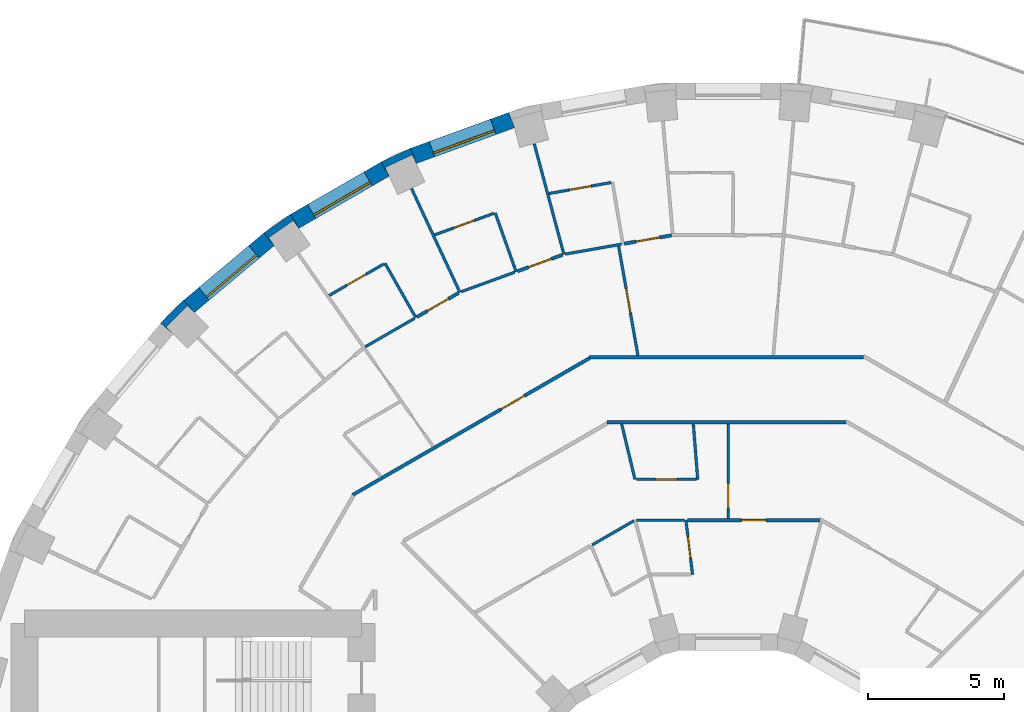
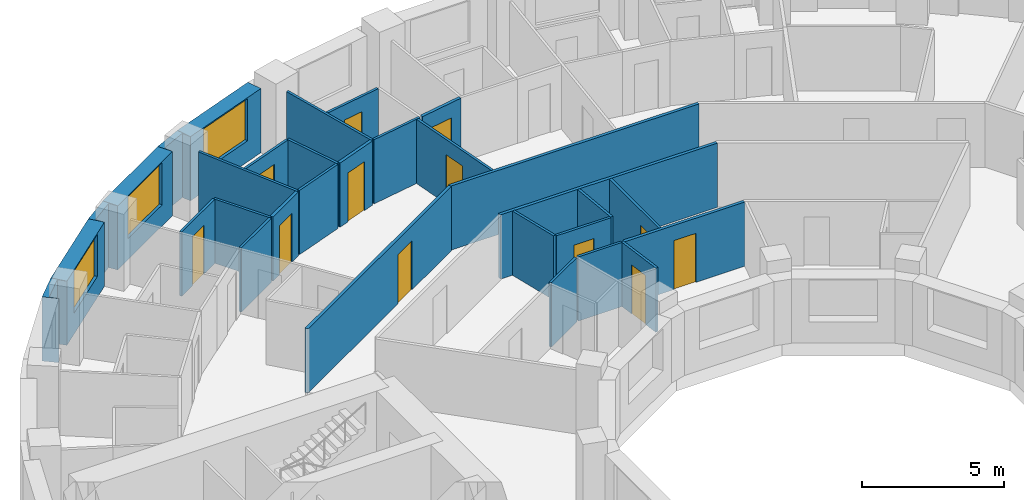
# One storey, part 11 of 15: 31 walls, 12 doors, 3 windows, 15 openings.
"""IFC4 building model written with IfcOpenShell, lengths in metres."""

from ifc_helpers import new_model, si_unit, direction, frame, frame_2d, origin, place, context, subcontext, project, spatial, polyline, rectangle, outline, extrude, material, layer, layer_set, type_object, element, fill, save


model = new_model("IFC4")

# Units and contexts
model_context = context("Model", 3, precision=1e-05, world=origin(), true_north=direction((0.0, 1.0)))
body_context = subcontext(model_context, "Body", "Model", "MODEL_VIEW")
ifc_project = project(units=[si_unit("LENGTHUNIT", "METRE"), si_unit("AREAUNIT", "SQUARE_METRE"), si_unit("VOLUMEUNIT", "CUBIC_METRE"), si_unit("PLANEANGLEUNIT", "RADIAN"), si_unit("MASSUNIT", "GRAM", prefix="KILO")], contexts=[model_context])

# Site, building, storey
site_placement = place(None, origin())
site = spatial("IfcSite", under=ifc_project, at=site_placement, CompositionType="ELEMENT")
building_placement = place(site_placement, origin())
building = spatial("IfcBuilding", under=site, at=building_placement, Name="Saqina Gate Tower", CompositionType="ELEMENT")
storey_placement = place(building_placement, frame((0.0, 0.0, 65.89990234375)))
storey = spatial("IfcBuildingStorey", under=building, at=storey_placement, Name="L18", CompositionType="ELEMENT", Elevation=65.89990234375)

# Walls
ifc_material_1 = material(Name="Brick masonry (red)", Category="masonry")
wall_type_1 = type_object("IfcWallType", Name="BRICK PIER COPING RED", PredefinedType="SOLIDWALL", material=ifc_material_1)
wall_1_placement = place(storey_placement, origin())
element("IfcWall", 1, at=wall_1_placement, inside=storey, type_object=wall_type_1, Name="Pier cap L18 column 12", PredefinedType="SOLIDWALL", context=body_context, shape_type="SweptSolid", body=[
    extrude(outline(polyline([(-12.779541015625, 25.980712890625), (-12.4794921875, 25.4609375), (-12.627685546875, 25.778564453125), (-11.630615234375, 26.243408203125), (-11.482666015625, 25.92578125), (-11.687744140625, 26.48974609375), (-12.779541015625, 25.980712890625)])), origin(), (0.0, 0.0, 1.0), 2.75),
])
wall_2_placement = place(storey_placement, origin())
element("IfcWall", 2, at=wall_2_placement, inside=storey, type_object=wall_type_1, Name="Pier cap L18 column 13", PredefinedType="SOLIDWALL", context=body_context, shape_type="SweptSolid", body=[
    extrude(outline(polyline([(-16.110107421875, 24.0576171875), (-17.096923828125, 23.36669921875), (-16.711181640625, 22.9072265625), (-16.912109375, 23.194091796875), (-16.010986328125, 23.8251953125), (-15.81005859375, 23.5380859375), (-16.110107421875, 24.0576171875)])), origin(), (0.0, 0.0, 1.0), 2.75),
])
wall_3_placement = place(storey_placement, origin())
element("IfcWall", 3, at=wall_3_placement, inside=storey, type_object=wall_type_1, Name="Pier cap L18 column 14", PredefinedType="SOLIDWALL", context=body_context, shape_type="SweptSolid", body=[
    extrude(outline(polyline([(-20.894775390625, 20.04296875), (-20.43505859375, 19.6572265625), (-20.682861328125, 19.905029296875), (-19.905029296875, 20.682861328125), (-19.6572265625, 20.43505859375), (-20.04296875, 20.894775390625), (-20.894775390625, 20.04296875)])), origin(), (0.0, 0.0, 1.0), 2.75),
])

# Wall, opening, window
ifc_material_2 = material(Name="Brick masonry (red)", Category="masonry")
ifc_layer_1 = layer(ifc_material_2, 0.60009765625)
ifc_layer_set_1 = layer_set([ifc_layer_1], Name="FW-BRICK-RED")
wall_type_2 = type_object("IfcWallType", Name="FW-BRICK-RED", PredefinedType="SOLIDWALL", material=ifc_layer_set_1)
wall_4_placement = place(storey_placement, frame((-7.97119140625, 27.523193359375, 0.0), z_axis=(0.0, 0.0, 1.0), x_axis=(-0.939689588564, -0.342028474173, 0.0)))
wall_4 = element("IfcWall", 4, at=wall_4_placement, inside=storey, type_object=wall_type_2, Name="Facade wall L18 facet 11", PredefinedType="SOLIDWALL", context=body_context, shape_type="SweptSolid", body=[
    extrude(rectangle(XDim=3.845947265625, YDim=0.60009765625, at=frame_2d((1.9228515625, 0.0))), origin(), (0.0, 0.0, 1.0), 2.75),
])
opening_1_placement = place(wall_4_placement, frame((0.722900390625, 0.0, 0.89990234375)))
opening_1 = element("IfcOpeningElement", 5, at=opening_1_placement, cuts=wall_4, Name="Opening G05-W05", PredefinedType="OPENING", context=body_context, shape_type="SweptSolid", body=[
    extrude(rectangle(XDim=2.39990234375, YDim=1.800048828125, at=frame_2d((1.199951171875, 0.89990234375))), frame((0.0, 0.31201171875, 0.0), z_axis=(0.0, -1.0, 0.0), x_axis=(1.0, 0.0, 0.0)), (0.0, 0.0, 1.0), 0.6240234375),
])
ifc_material_3 = material(Name="Aluminium glazing", Category="aluminium")
window_type = type_object("IfcWindowType", Name="WN-A", PartitioningType="SINGLE_PANEL", PredefinedType="WINDOW", material=ifc_material_3)
window_1_placement = place(opening_1_placement, origin())
window_1 = element("IfcWindow", 6, at=window_1_placement, inside=storey, type_object=window_type, Name="Window L18 facet 11", OverallHeight=1.800048828125, OverallWidth=2.39990234375, PartitioningType="SINGLE_PANEL", PredefinedType="WINDOW", context=body_context, shape_type="SweptSolid", body=[
    extrude(rectangle(XDim=2.39990234375, YDim=1.800048828125, at=frame_2d((1.199951171875, 0.89990234375))), frame((0.0, 0.179931640625, 0.0), z_axis=(0.0, -1.0, 0.0), x_axis=(1.0, 0.0, 0.0)), (0.0, 0.0, 1.0), 0.06005859375),
])
fill(opening_1, window_1)

wall_5_placement = place(storey_placement, frame((-12.629638671875, 25.720703125, 0.0), z_axis=(0.0, 0.0, 1.0), x_axis=(-0.86603124159, -0.499989888488, 0.0)))
wall_5 = element("IfcWall", 7, at=wall_5_placement, inside=storey, type_object=wall_type_2, Name="Facade wall L18 facet 12", PredefinedType="SOLIDWALL", context=body_context, shape_type="SweptSolid", body=[
    extrude(rectangle(XDim=3.845703125, YDim=0.60009765625, at=frame_2d((1.9228515625, 0.0))), origin(), (0.0, 0.0, 1.0), 2.75),
])
opening_2_placement = place(wall_5_placement, frame((0.722900390625, 0.0, 0.89990234375)))
opening_2 = element("IfcOpeningElement", 8, at=opening_2_placement, cuts=wall_5, Name="Opening G05-W06", PredefinedType="OPENING", context=body_context, shape_type="SweptSolid", body=[
    extrude(rectangle(XDim=2.39990234375, YDim=1.800048828125, at=frame_2d((1.199951171875, 0.89990234375))), frame((0.0, 0.31201171875, 0.0), z_axis=(0.0, -1.0, 0.0), x_axis=(1.0, 0.0, 0.0)), (0.0, 0.0, 1.0), 0.6240234375),
])
window_2_placement = place(opening_2_placement, origin())
window_2 = element("IfcWindow", 9, at=window_2_placement, inside=storey, type_object=window_type, Name="Window L18 facet 12", OverallHeight=1.800048828125, OverallWidth=2.39990234375, PartitioningType="SINGLE_PANEL", PredefinedType="WINDOW", context=body_context, shape_type="SweptSolid", body=[
    extrude(rectangle(XDim=2.39990234375, YDim=1.800048828125, at=frame_2d((1.199951171875, 0.89990234375))), frame((0.0, 0.179931640625, 0.0), z_axis=(0.0, -1.0, 0.0), x_axis=(1.0, 0.0, 0.0)), (0.0, 0.0, 1.0), 0.06005859375),
])
fill(opening_2, window_2)

wall_6_placement = place(storey_placement, frame((-16.904052734375, 23.136962890625, 0.0), z_axis=(0.0, 0.0, 1.0), x_axis=(-0.766026164483, -0.642809392687, 0.0)))
wall_6 = element("IfcWall", 10, at=wall_6_placement, inside=storey, type_object=wall_type_2, Name="Facade wall L18 facet 13", PredefinedType="SOLIDWALL", context=body_context, shape_type="SweptSolid", body=[
    extrude(rectangle(XDim=3.845947265625, YDim=0.60009765625, at=frame_2d((1.9228515625, 0.0))), origin(), (0.0, 0.0, 1.0), 2.75),
])
opening_3_placement = place(wall_6_placement, frame((0.722900390625, 0.0, 0.89990234375)))
opening_3 = element("IfcOpeningElement", 11, at=opening_3_placement, cuts=wall_6, Name="Opening G05-W07", PredefinedType="OPENING", context=body_context, shape_type="SweptSolid", body=[
    extrude(rectangle(XDim=2.39990234375, YDim=1.800048828125, at=frame_2d((1.199951171875, 0.89990234375))), frame((0.0, 0.31201171875, 0.0), z_axis=(0.0, -1.0, 0.0), x_axis=(1.0, 0.0, 0.0)), (0.0, 0.0, 1.0), 0.6240234375),
])
window_3_placement = place(opening_3_placement, origin())
window_3 = element("IfcWindow", 12, at=window_3_placement, inside=storey, type_object=window_type, Name="Window L18 facet 13", OverallHeight=1.800048828125, OverallWidth=2.39990234375, PartitioningType="SINGLE_PANEL", PredefinedType="WINDOW", context=body_context, shape_type="SweptSolid", body=[
    extrude(rectangle(XDim=2.39990234375, YDim=1.800048828125, at=frame_2d((1.199951171875, 0.89990234375))), frame((0.0, 0.179931640625, 0.0), z_axis=(0.0, -1.0, 0.0), x_axis=(1.0, 0.0, 0.0)), (0.0, 0.0, 1.0), 0.06005859375),
])
fill(opening_3, window_3)

# Wall
ifc_material_4 = material(Name="Gypsum board on steel studs, 100 mm", Category="steel")
ifc_layer_2 = layer(ifc_material_4, 0.10009765625)
ifc_layer_set_2 = layer_set([ifc_layer_2], Name="PARTITION 100")
wall_type_3 = type_object("IfcWallType", Name="PARTITION 100", PredefinedType="PARTITIONING", material=ifc_layer_set_2)
wall_7_placement = place(storey_placement, frame((-1.2861328125, 16.337646484375, 0.0), z_axis=(0.0, 0.0, 1.0), x_axis=(0.07883368514, -0.996887782093, 0.0)))
element("IfcWall", 13, at=wall_7_placement, inside=storey, type_object=wall_type_3, Name="PARTITION PW3-03", PredefinedType="PARTITIONING", context=body_context, shape_type="SweptSolid", body=[
    extrude(rectangle(XDim=2.0439453125, YDim=0.10009765625, at=frame_2d((1.02197265625, 0.0))), origin(), (0.0, 0.0, 1.0), 2.75),
])

# Wall, opening, door
wall_8_placement = place(storey_placement, frame((-1.55908203125, 12.800048828125, 0.0), z_axis=(0.0, 0.0, 1.0), x_axis=(0.1211708576, -0.992631665457, 0.0)))
wall_8 = element("IfcWall", 14, at=wall_8_placement, inside=storey, type_object=wall_type_3, Name="PARTITION PW3-07", PredefinedType="PARTITIONING", context=body_context, shape_type="SweptSolid", body=[
    extrude(rectangle(XDim=2.014892578125, YDim=0.10009765625, at=frame_2d((1.00732421875, 0.0))), origin(), (0.0, 0.0, 1.0), 2.75),
])
opening_4_placement = place(wall_8_placement, frame((0.607421875, 0.0, 0.0)))
opening_4 = element("IfcOpeningElement", 15, at=opening_4_placement, cuts=wall_8, Name="Opening G05-D15", PredefinedType="OPENING", context=body_context, shape_type="SweptSolid", body=[
    extrude(rectangle(XDim=0.800048828125, YDim=2.10009765625, at=frame_2d((0.39990234375, 1.050048828125))), frame((0.0, 0.06201171875, 0.0), z_axis=(0.0, -1.0, 0.0), x_axis=(1.0, 0.0, 0.0)), (0.0, 0.0, 1.0), 0.1240234375),
])
ifc_material_5 = material(Name="Timber door leaf, 800 mm", Category="wood")
door_type_1 = type_object("IfcDoorType", Name="DOOR 800 TIMBER", OperationType="SINGLE_SWING_LEFT", PredefinedType="DOOR", material=ifc_material_5)
door_1_placement = place(opening_4_placement, origin())
door_1 = element("IfcDoor", 16, at=door_1_placement, inside=storey, type_object=door_type_1, Name="DOOR G05-D15", OperationType="SINGLE_SWING_LEFT", OverallHeight=2.10009765625, OverallWidth=0.800048828125, PredefinedType="DOOR", context=body_context, shape_type="SweptSolid", body=[
    extrude(rectangle(XDim=0.800048828125, YDim=2.10009765625, at=frame_2d((0.39990234375, 1.050048828125))), frame((0.0, 0.02490234375, 0.0), z_axis=(0.0, -1.0, 0.0), x_axis=(1.0, 0.0, 0.0)), (0.0, 0.0, 1.0), 0.050048828125),
])
fill(opening_4, door_1)

wall_9_placement = place(storey_placement, frame((-4.035400390625, 22.88671875, 0.0), z_axis=(0.0, 0.0, 1.0), x_axis=(0.173584282426, -0.98481901733, 0.0)))
wall_9 = element("IfcWall", 17, at=wall_9_placement, inside=storey, type_object=wall_type_3, Name="PARTITION PW3-09", PredefinedType="PARTITIONING", context=body_context, shape_type="SweptSolid", body=[
    extrude(rectangle(XDim=4.087158203125, YDim=0.10009765625, at=frame_2d((2.04345703125, 0.0))), origin(), (0.0, 0.0, 1.0), 2.75),
])
opening_5_placement = place(wall_9_placement, frame((1.599853515625, 0.0, 0.0)))
opening_5 = element("IfcOpeningElement", 18, at=opening_5_placement, cuts=wall_9, Name="Opening G05-D18", PredefinedType="OPENING", context=body_context, shape_type="SweptSolid", body=[
    extrude(rectangle(XDim=0.89990234375, YDim=2.10009765625, at=frame_2d((0.449951171875, 1.050048828125))), frame((0.0, 0.06201171875, 0.0), z_axis=(0.0, -1.0, 0.0), x_axis=(1.0, 0.0, 0.0)), (0.0, 0.0, 1.0), 0.1240234375),
])
ifc_material_6 = material(Name="Timber door leaf, 900 mm", Category="wood")
door_type_2 = type_object("IfcDoorType", Name="DOOR 900 TIMBER", OperationType="SINGLE_SWING_LEFT", PredefinedType="DOOR", material=ifc_material_6)
door_2_placement = place(opening_5_placement, frame((0.89990234375, 0.0, 0.0), z_axis=(0.0, 0.0, 1.0), x_axis=(-1.0, 0.0, 0.0)))
door_2 = element("IfcDoor", 19, at=door_2_placement, inside=storey, type_object=door_type_2, Name="DOOR G05-D18", OperationType="SINGLE_SWING_LEFT", OverallHeight=2.10009765625, OverallWidth=0.89990234375, PredefinedType="DOOR", context=body_context, shape_type="SweptSolid", body=[
    extrude(rectangle(XDim=0.89990234375, YDim=2.10009765625, at=frame_2d((0.449951171875, 1.050048828125))), frame((0.0, 0.02490234375, 0.0), z_axis=(0.0, -1.0, 0.0), x_axis=(1.0, 0.0, 0.0)), (0.0, 0.0, 1.0), 0.050048828125),
])
fill(opening_5, door_2)

# Walls
wall_10_placement = place(storey_placement, frame((-3.92431640625, 16.339111328125, 0.0), z_axis=(0.0, 0.0, 1.0), x_axis=(0.233760395351, -0.972294234049, 0.0)))
element("IfcWall", 20, at=wall_10_placement, inside=storey, type_object=wall_type_3, Name="PARTITION PW3-11", PredefinedType="PARTITIONING", context=body_context, shape_type="SweptSolid", body=[
    extrude(rectangle(XDim=2.09716796875, YDim=0.10009765625, at=frame_2d((1.048583984375, 0.0))), origin(), (0.0, 0.0, 1.0), 2.75),
])
wall_11_placement = place(storey_placement, frame((-7.14013671875, 26.650146484375, 0.0), z_axis=(0.0, 0.0, 1.0), x_axis=(0.258611481132, -0.965981418986, 0.0)))
element("IfcWall", 21, at=wall_11_placement, inside=storey, type_object=wall_type_3, Name="PARTITION PW3-12", PredefinedType="PARTITIONING", context=body_context, shape_type="SweptSolid", body=[
    extrude(rectangle(XDim=4.21142578125, YDim=0.10009765625, at=frame_2d((2.105712890625, 0.0))), origin(), (0.0, 0.0, 1.0), 2.75),
])
wall_12_placement = place(storey_placement, frame((-8.5791015625, 24.10888671875, 0.0), z_axis=(0.0, 0.0, 1.0), x_axis=(0.335206501266, -0.942144681835, 0.0)))
element("IfcWall", 22, at=wall_12_placement, inside=storey, type_object=wall_type_3, Name="PARTITION PW3-15", PredefinedType="PARTITIONING", context=body_context, shape_type="SweptSolid", body=[
    extrude(rectangle(XDim=2.300048828125, YDim=0.10009765625, at=frame_2d((1.14990234375, 0.0))), origin(), (0.0, 0.0, 1.0), 2.75),
])
wall_13_placement = place(storey_placement, frame((-11.659912109375, 25.005126953125, 0.0), z_axis=(0.0, 0.0, 1.0), x_axis=(0.422631582156, -0.906301575506, 0.0)))
element("IfcWall", 23, at=wall_13_placement, inside=storey, type_object=wall_type_3, Name="PARTITION PW3-19", PredefinedType="PARTITIONING", context=body_context, shape_type="SweptSolid", body=[
    extrude(rectangle(XDim=4.211669921875, YDim=0.10009765625, at=frame_2d((2.10595703125, 0.0))), origin(), (0.0, 0.0, 1.0), 2.75),
])
wall_14_placement = place(storey_placement, frame((-12.635009765625, 22.2529296875, 0.0), z_axis=(0.0, 0.0, 1.0), x_axis=(0.493564284385, -0.869709317634, 0.0)))
element("IfcWall", 24, at=wall_14_placement, inside=storey, type_object=wall_type_3, Name="PARTITION PW3-21", PredefinedType="PARTITIONING", context=body_context, shape_type="SweptSolid", body=[
    extrude(rectangle(XDim=2.299560546875, YDim=0.10009765625, at=frame_2d((1.14990234375, 0.0))), origin(), (0.0, 0.0, 1.0), 2.75),
])
wall_15_placement = place(storey_placement, frame((-3.3798828125, 12.800048828125, 0.0), z_axis=(0.0, 0.0, 1.0), x_axis=(1.0, 0.0, 0.0)))
element("IfcWall", 25, at=wall_15_placement, inside=storey, type_object=wall_type_3, Name="PARTITION PW3-63", PredefinedType="PARTITIONING", context=body_context, shape_type="SweptSolid", body=[
    extrude(rectangle(XDim=1.77099609375, YDim=0.10009765625, at=frame_2d((0.885498046875, 0.0))), origin(), (0.0, 0.0, 1.0), 2.75),
])

# Wall, opening, door
wall_16_placement = place(storey_placement, frame((-3.384033203125, 14.300048828125, 0.0), z_axis=(0.0, 0.0, 1.0), x_axis=(1.0, 0.0, 0.0)))
wall_16 = element("IfcWall", 26, at=wall_16_placement, inside=storey, type_object=wall_type_3, Name="PARTITION PW3-64", PredefinedType="PARTITIONING", context=body_context, shape_type="SweptSolid", body=[
    extrude(rectangle(XDim=2.208984375, YDim=0.10009765625, at=frame_2d((1.1044921875, 0.0))), origin(), (0.0, 0.0, 1.0), 2.75),
])
opening_6_placement = place(wall_16_placement, frame((0.70458984375, 0.0, 0.0)))
opening_6 = element("IfcOpeningElement", 27, at=opening_6_placement, cuts=wall_16, Name="Opening G05-D17", PredefinedType="OPENING", context=body_context, shape_type="SweptSolid", body=[
    extrude(rectangle(XDim=0.800048828125, YDim=2.10009765625, at=frame_2d((0.39990234375, 1.050048828125))), frame((0.0, 0.06201171875, 0.0), z_axis=(0.0, -1.0, 0.0), x_axis=(1.0, 0.0, 0.0)), (0.0, 0.0, 1.0), 0.1240234375),
])
door_3_placement = place(opening_6_placement, frame((0.800048828125, 0.0, 0.0), z_axis=(0.0, 0.0, 1.0), x_axis=(-1.0, 0.0, 0.0)))
door_3 = element("IfcDoor", 28, at=door_3_placement, inside=storey, type_object=door_type_1, Name="DOOR G05-D17", OperationType="SINGLE_SWING_LEFT", OverallHeight=2.10009765625, OverallWidth=0.800048828125, PredefinedType="DOOR", context=body_context, shape_type="SweptSolid", body=[
    extrude(rectangle(XDim=0.800048828125, YDim=2.10009765625, at=frame_2d((0.39990234375, 1.050048828125))), frame((0.0, 0.02490234375, 0.0), z_axis=(0.0, -1.0, 0.0), x_axis=(1.0, 0.0, 0.0)), (0.0, 0.0, 1.0), 0.050048828125),
])
fill(opening_6, door_3)

# Wall
wall_17_placement = place(storey_placement, frame((-6.001708984375, 22.590576171875, 0.0), z_axis=(0.0, 0.0, 1.0), x_axis=(0.984798730273, 0.173699340392, 0.0)))
element("IfcWall", 29, at=wall_17_placement, inside=storey, type_object=wall_type_3, Name="PARTITION PW3-69", PredefinedType="PARTITIONING", context=body_context, shape_type="SweptSolid", body=[
    extrude(rectangle(XDim=2.10546875, YDim=0.10009765625, at=frame_2d((1.052734375, 0.0))), origin(), (0.0, 0.0, 1.0), 2.75),
])

# Wall, opening, door
wall_18_placement = place(storey_placement, frame((-6.598876953125, 24.82080078125, 0.0), z_axis=(0.0, 0.0, 1.0), x_axis=(0.984793079882, 0.173731372577, 0.0)))
wall_18 = element("IfcWall", 30, at=wall_18_placement, inside=storey, type_object=wall_type_3, Name="PARTITION PW3-70", PredefinedType="PARTITIONING", context=body_context, shape_type="SweptSolid", body=[
    extrude(rectangle(XDim=2.322998046875, YDim=0.10009765625, at=frame_2d((1.16162109375, 0.0))), origin(), (0.0, 0.0, 1.0), 2.75),
])
opening_7_placement = place(wall_18_placement, frame((0.761474609375, 0.0, 0.0)))
opening_7 = element("IfcOpeningElement", 31, at=opening_7_placement, cuts=wall_18, Name="Opening G05-D19", PredefinedType="OPENING", context=body_context, shape_type="SweptSolid", body=[
    extrude(rectangle(XDim=0.800048828125, YDim=2.10009765625, at=frame_2d((0.39990234375, 1.050048828125))), frame((0.0, 0.06201171875, 0.0), z_axis=(0.0, -1.0, 0.0), x_axis=(1.0, 0.0, 0.0)), (0.0, 0.0, 1.0), 0.1240234375),
])
door_4_placement = place(opening_7_placement, origin())
door_4 = element("IfcDoor", 32, at=door_4_placement, inside=storey, type_object=door_type_1, Name="DOOR G05-D19", OperationType="SINGLE_SWING_LEFT", OverallHeight=2.10009765625, OverallWidth=0.800048828125, PredefinedType="DOOR", context=body_context, shape_type="SweptSolid", body=[
    extrude(rectangle(XDim=0.800048828125, YDim=2.10009765625, at=frame_2d((0.39990234375, 1.050048828125))), frame((0.0, 0.02490234375, 0.0), z_axis=(0.0, -1.0, 0.0), x_axis=(1.0, 0.0, 0.0)), (0.0, 0.0, 1.0), 0.050048828125),
])
fill(opening_7, door_4)

# Wall
wall_19_placement = place(storey_placement, frame((-9.8330078125, 21.205078125, 0.0), z_axis=(0.0, 0.0, 1.0), x_axis=(0.939725675468, 0.341929312674, 0.0)))
element("IfcWall", 33, at=wall_19_placement, inside=storey, type_object=wall_type_3, Name="PARTITION PW3-73", PredefinedType="PARTITIONING", context=body_context, shape_type="SweptSolid", body=[
    extrude(rectangle(XDim=2.10498046875, YDim=0.10009765625, at=frame_2d((1.052490234375, 0.0))), origin(), (0.0, 0.0, 1.0), 2.75),
])

# Wall, opening, door
wall_20_placement = place(storey_placement, frame((-10.808837890625, 23.298095703125, 0.0), z_axis=(0.0, 0.0, 1.0), x_axis=(0.939802630001, 0.341717744115, 0.0)))
wall_20 = element("IfcWall", 34, at=wall_20_placement, inside=storey, type_object=wall_type_3, Name="PARTITION PW3-74", PredefinedType="PARTITIONING", context=body_context, shape_type="SweptSolid", body=[
    extrude(rectangle(XDim=2.32275390625, YDim=0.10009765625, at=frame_2d((1.161376953125, 0.0))), origin(), (0.0, 0.0, 1.0), 2.75),
])
opening_8_placement = place(wall_20_placement, frame((0.76123046875, 0.0, 0.0)))
opening_8 = element("IfcOpeningElement", 35, at=opening_8_placement, cuts=wall_20, Name="Opening G05-D21", PredefinedType="OPENING", context=body_context, shape_type="SweptSolid", body=[
    extrude(rectangle(XDim=0.800048828125, YDim=2.10009765625, at=frame_2d((0.39990234375, 1.050048828125))), frame((0.0, 0.06201171875, 0.0), z_axis=(0.0, -1.0, 0.0), x_axis=(1.0, 0.0, 0.0)), (0.0, 0.0, 1.0), 0.1240234375),
])
door_5_placement = place(opening_8_placement, origin())
door_5 = element("IfcDoor", 36, at=door_5_placement, inside=storey, type_object=door_type_1, Name="DOOR G05-D21", OperationType="SINGLE_SWING_LEFT", OverallHeight=2.10009765625, OverallWidth=0.800048828125, PredefinedType="DOOR", context=body_context, shape_type="SweptSolid", body=[
    extrude(rectangle(XDim=0.800048828125, YDim=2.10009765625, at=frame_2d((0.39990234375, 1.050048828125))), frame((0.0, 0.02490234375, 0.0), z_axis=(0.0, -1.0, 0.0), x_axis=(1.0, 0.0, 0.0)), (0.0, 0.0, 1.0), 0.050048828125),
])
fill(opening_8, door_5)

# Walls
wall_21_placement = place(storey_placement, frame((-5.006591796875, 11.888916015625, 0.0), z_axis=(0.0, 0.0, 1.0), x_axis=(0.865831892385, 0.500335021889, 0.0)))
element("IfcWall", 37, at=wall_21_placement, inside=storey, type_object=wall_type_3, Name="PARTITION PW3-79", PredefinedType="PARTITIONING", context=body_context, shape_type="SweptSolid", body=[
    extrude(rectangle(XDim=1.770751953125, YDim=0.10009765625, at=frame_2d((0.88525390625, 0.0))), origin(), (0.0, 0.0, 1.0), 2.75),
])
wall_22_placement = place(storey_placement, frame((-13.36572265625, 19.176025390625, 0.0), z_axis=(0.0, 0.0, 1.0), x_axis=(0.866071606143, 0.499919966627, 0.0)))
element("IfcWall", 38, at=wall_22_placement, inside=storey, type_object=wall_type_3, Name="PARTITION PW3-81", PredefinedType="PARTITIONING", context=body_context, shape_type="SweptSolid", body=[
    extrude(rectangle(XDim=2.104248046875, YDim=0.10009765625, at=frame_2d((1.05224609375, 0.0))), origin(), (0.0, 0.0, 1.0), 2.75),
])

# Wall, opening, door
wall_23_placement = place(storey_placement, frame((-14.690673828125, 21.06689453125, 0.0), z_axis=(0.0, 0.0, 1.0), x_axis=(0.866166342301, 0.499755807835, 0.0)))
wall_23 = element("IfcWall", 39, at=wall_23_placement, inside=storey, type_object=wall_type_3, Name="PARTITION PW3-82", PredefinedType="PARTITIONING", context=body_context, shape_type="SweptSolid", body=[
    extrude(rectangle(XDim=2.323486328125, YDim=0.10009765625, at=frame_2d((1.16162109375, 0.0))), origin(), (0.0, 0.0, 1.0), 2.75),
])
opening_9_placement = place(wall_23_placement, frame((0.76171875, 0.0, 0.0)))
opening_9 = element("IfcOpeningElement", 40, at=opening_9_placement, cuts=wall_23, Name="Opening G05-D26", PredefinedType="OPENING", context=body_context, shape_type="SweptSolid", body=[
    extrude(rectangle(XDim=0.800048828125, YDim=2.10009765625, at=frame_2d((0.39990234375, 1.050048828125))), frame((0.0, 0.06201171875, 0.0), z_axis=(0.0, -1.0, 0.0), x_axis=(1.0, 0.0, 0.0)), (0.0, 0.0, 1.0), 0.1240234375),
])
door_6_placement = place(opening_9_placement, origin())
door_6 = element("IfcDoor", 41, at=door_6_placement, inside=storey, type_object=door_type_1, Name="DOOR G05-D26", OperationType="SINGLE_SWING_LEFT", OverallHeight=2.10009765625, OverallWidth=0.800048828125, PredefinedType="DOOR", context=body_context, shape_type="SweptSolid", body=[
    extrude(rectangle(XDim=0.800048828125, YDim=2.10009765625, at=frame_2d((0.39990234375, 1.050048828125))), frame((0.0, 0.02490234375, 0.0), z_axis=(0.0, -1.0, 0.0), x_axis=(1.0, 0.0, 0.0)), (0.0, 0.0, 1.0), 0.050048828125),
])
fill(opening_9, door_6)

wall_24_placement = place(storey_placement, frame((0.0, 12.862548828125, 0.0), z_axis=(0.0, 0.0, 1.0), x_axis=(0.0, 1.0, 0.0)))
wall_24 = element("IfcWall", 42, at=wall_24_placement, inside=storey, type_object=wall_type_3, Name="PARTITION PW3-115", PredefinedType="PARTITIONING", context=body_context, shape_type="SweptSolid", body=[
    extrude(rectangle(XDim=3.474853515625, YDim=0.10009765625, at=frame_2d((1.7373046875, 0.0))), origin(), (0.0, 0.0, 1.0), 2.75),
])
opening_10_placement = place(wall_24_placement, frame((0.387451171875, 0.0, 0.0)))
opening_10 = element("IfcOpeningElement", 43, at=opening_10_placement, cuts=wall_24, Name="Opening G05-D13", PredefinedType="OPENING", context=body_context, shape_type="SweptSolid", body=[
    extrude(rectangle(XDim=0.89990234375, YDim=2.10009765625, at=frame_2d((0.449951171875, 1.050048828125))), frame((0.0, 0.06201171875, 0.0), z_axis=(0.0, -1.0, 0.0), x_axis=(1.0, 0.0, 0.0)), (0.0, 0.0, 1.0), 0.1240234375),
])
door_7_placement = place(opening_10_placement, origin())
door_7 = element("IfcDoor", 44, at=door_7_placement, inside=storey, type_object=door_type_2, Name="DOOR G05-D13", OperationType="SINGLE_SWING_LEFT", OverallHeight=2.10009765625, OverallWidth=0.89990234375, PredefinedType="DOOR", context=body_context, shape_type="SweptSolid", body=[
    extrude(rectangle(XDim=0.89990234375, YDim=2.10009765625, at=frame_2d((0.449951171875, 1.050048828125))), frame((0.0, 0.02490234375, 0.0), z_axis=(0.0, -1.0, 0.0), x_axis=(1.0, 0.0, 0.0)), (0.0, 0.0, 1.0), 0.050048828125),
])
fill(opening_10, door_7)

ifc_material_7 = material(Name="Gypsum board on steel studs, 125 mm, fire rated", Category="steel")
ifc_layer_3 = layer(ifc_material_7, 0.125)
ifc_layer_set_3 = layer_set([ifc_layer_3], Name="PARTITION EI 30 125")
wall_type_4 = type_object("IfcWallType", Name="PARTITION EI 30 125", PredefinedType="PARTITIONING", material=ifc_layer_set_3)
wall_25_placement = place(storey_placement, frame((-1.509033203125, 12.800048828125, 0.0), z_axis=(0.0, 0.0, 1.0), x_axis=(1.0, 0.0, 0.0)))
wall_25 = element("IfcWall", 45, at=wall_25_placement, inside=storey, type_object=wall_type_4, Name="PARTITION PW1-23", PredefinedType="PARTITIONING", context=body_context, shape_type="SweptSolid", body=[
    extrude(rectangle(XDim=4.87646484375, YDim=0.125, at=frame_2d((2.438232421875, 0.0))), origin(), (0.0, 0.0, 1.0), 2.75),
])
opening_11_placement = place(wall_25_placement, frame((1.994384765625, 0.0, 0.0)))
opening_11 = element("IfcOpeningElement", 46, at=opening_11_placement, cuts=wall_25, Name="Opening G05-D11", PredefinedType="OPENING", context=body_context, shape_type="SweptSolid", body=[
    extrude(rectangle(XDim=0.89990234375, YDim=2.10009765625, at=frame_2d((0.449951171875, 1.050048828125))), frame((0.0, 0.074462890625, 0.0), z_axis=(0.0, -1.0, 0.0), x_axis=(1.0, 0.0, 0.0)), (0.0, 0.0, 1.0), 0.14892578125),
])
ifc_material_8 = material(Name="Fire door leaf EI 30, 900 mm")
door_type_3 = type_object("IfcDoorType", Name="DOOR 900 EI 30", OperationType="SINGLE_SWING_LEFT", PredefinedType="DOOR", material=ifc_material_8)
door_8_placement = place(opening_11_placement, origin())
door_8 = element("IfcDoor", 47, at=door_8_placement, inside=storey, type_object=door_type_3, Name="DOOR G05-D11", OperationType="SINGLE_SWING_LEFT", OverallHeight=2.10009765625, OverallWidth=0.89990234375, PredefinedType="DOOR", context=body_context, shape_type="SweptSolid", body=[
    extrude(rectangle(XDim=0.89990234375, YDim=2.10009765625, at=frame_2d((0.449951171875, 1.050048828125))), frame((0.0, 0.02490234375, 0.0), z_axis=(0.0, -1.0, 0.0), x_axis=(1.0, 0.0, 0.0)), (0.0, 0.0, 1.0), 0.050048828125),
])
fill(opening_11, door_8)

# Walls
wall_26_placement = place(storey_placement, frame((-4.466064453125, 16.39990234375, 0.0), z_axis=(0.0, 0.0, 1.0), x_axis=(1.0, 0.0, 0.0)))
element("IfcWall", 48, at=wall_26_placement, inside=storey, type_object=wall_type_4, Name="PARTITION PW1-24", PredefinedType="PARTITIONING", context=body_context, shape_type="SweptSolid", body=[
    extrude(rectangle(XDim=8.797607421875, YDim=0.125, at=frame_2d((4.39892578125, 0.0))), origin(), (0.0, 0.0, 1.0), 2.75),
])
wall_27_placement = place(storey_placement, frame((-5.109130859375, 18.800048828125, 0.0), z_axis=(0.0, 0.0, 1.0), x_axis=(1.0, 0.0, 0.0)))
element("IfcWall", 49, at=wall_27_placement, inside=storey, type_object=wall_type_4, Name="PARTITION PW1-25", PredefinedType="PARTITIONING", context=body_context, shape_type="SweptSolid", body=[
    extrude(rectangle(XDim=10.083740234375, YDim=0.125, at=frame_2d((5.0419921875, 0.0))), origin(), (0.0, 0.0, 1.0), 2.75),
])

# Wall, opening, door
wall_28_placement = place(storey_placement, frame((-3.829833984375, 22.9736328125, 0.0), z_axis=(0.0, 0.0, 1.0), x_axis=(0.98477522439, 0.17383255572, 0.0)))
wall_28 = element("IfcWall", 50, at=wall_28_placement, inside=storey, type_object=wall_type_4, Name="PARTITION PW1-28", PredefinedType="PARTITIONING", context=body_context, shape_type="SweptSolid", body=[
    extrude(rectangle(XDim=1.76953125, YDim=0.125, at=frame_2d((0.884765625, 0.0))), origin(), (0.0, 0.0, 1.0), 2.75),
])
opening_12_placement = place(wall_28_placement, frame((0.434814453125, 0.0, 0.0)))
opening_12 = element("IfcOpeningElement", 51, at=opening_12_placement, cuts=wall_28, Name="Opening G05-D16", PredefinedType="OPENING", context=body_context, shape_type="SweptSolid", body=[
    extrude(rectangle(XDim=0.89990234375, YDim=2.10009765625, at=frame_2d((0.449951171875, 1.050048828125))), frame((0.0, 0.074462890625, 0.0), z_axis=(0.0, -1.0, 0.0), x_axis=(1.0, 0.0, 0.0)), (0.0, 0.0, 1.0), 0.14892578125),
])
door_9_placement = place(opening_12_placement, frame((0.89990234375, 0.0, 0.0), z_axis=(0.0, 0.0, 1.0), x_axis=(-1.0, 0.0, 0.0)))
door_9 = element("IfcDoor", 52, at=door_9_placement, inside=storey, type_object=door_type_3, Name="DOOR G05-D16", OperationType="SINGLE_SWING_LEFT", OverallHeight=2.10009765625, OverallWidth=0.89990234375, PredefinedType="DOOR", context=body_context, shape_type="SweptSolid", body=[
    extrude(rectangle(XDim=0.89990234375, YDim=2.10009765625, at=frame_2d((0.449951171875, 1.050048828125))), frame((0.0, 0.02490234375, 0.0), z_axis=(0.0, -1.0, 0.0), x_axis=(1.0, 0.0, 0.0)), (0.0, 0.0, 1.0), 0.050048828125),
])
fill(opening_12, door_9)

wall_29_placement = place(storey_placement, frame((-7.760986328125, 21.959228515625, 0.0), z_axis=(0.0, 0.0, 1.0), x_axis=(0.939620127684, 0.342219250849, 0.0)))
wall_29 = element("IfcWall", 53, at=wall_29_placement, inside=storey, type_object=wall_type_4, Name="PARTITION PW1-30", PredefinedType="PARTITIONING", context=body_context, shape_type="SweptSolid", body=[
    extrude(rectangle(XDim=1.77001953125, YDim=0.125, at=frame_2d((0.885009765625, 0.0))), origin(), (0.0, 0.0, 1.0), 2.75),
])
opening_13_placement = place(wall_29_placement, frame((0.43505859375, 0.0, 0.0)))
opening_13 = element("IfcOpeningElement", 54, at=opening_13_placement, cuts=wall_29, Name="Opening G05-D20", PredefinedType="OPENING", context=body_context, shape_type="SweptSolid", body=[
    extrude(rectangle(XDim=0.89990234375, YDim=2.10009765625, at=frame_2d((0.449951171875, 1.050048828125))), frame((0.0, 0.074462890625, 0.0), z_axis=(0.0, -1.0, 0.0), x_axis=(1.0, 0.0, 0.0)), (0.0, 0.0, 1.0), 0.14892578125),
])
door_10_placement = place(opening_13_placement, frame((0.89990234375, 0.0, 0.0), z_axis=(0.0, 0.0, 1.0), x_axis=(-1.0, 0.0, 0.0)))
door_10 = element("IfcDoor", 55, at=door_10_placement, inside=storey, type_object=door_type_3, Name="DOOR G05-D20", OperationType="SINGLE_SWING_LEFT", OverallHeight=2.10009765625, OverallWidth=0.89990234375, PredefinedType="DOOR", context=body_context, shape_type="SweptSolid", body=[
    extrude(rectangle(XDim=0.89990234375, YDim=2.10009765625, at=frame_2d((0.449951171875, 1.050048828125))), frame((0.0, 0.02490234375, 0.0), z_axis=(0.0, -1.0, 0.0), x_axis=(1.0, 0.0, 0.0)), (0.0, 0.0, 1.0), 0.050048828125),
])
fill(opening_13, door_10)

wall_30_placement = place(storey_placement, frame((-13.825439453125, 13.726806640625, 0.0), z_axis=(0.0, 0.0, 1.0), x_axis=(0.866059817553, 0.499940388867, 0.0)))
wall_30 = element("IfcWall", 56, at=wall_30_placement, inside=storey, type_object=wall_type_4, Name="PARTITION PW1-36", PredefinedType="PARTITIONING", context=body_context, shape_type="SweptSolid", body=[
    extrude(rectangle(XDim=10.085205078125, YDim=0.125, at=frame_2d((5.04248046875, 0.0))), origin(), (0.0, 0.0, 1.0), 2.75),
])
opening_14_placement = place(wall_30_placement, frame((6.30615234375, 0.0, 0.0)))
opening_14 = element("IfcOpeningElement", 57, at=opening_14_placement, cuts=wall_30, Name="Opening G05-D23", PredefinedType="OPENING", context=body_context, shape_type="SweptSolid", body=[
    extrude(rectangle(XDim=1.0, YDim=2.10009765625, at=frame_2d((0.5, 1.050048828125))), frame((0.0, 0.074462890625, 0.0), z_axis=(0.0, -1.0, 0.0), x_axis=(1.0, 0.0, 0.0)), (0.0, 0.0, 1.0), 0.14892578125),
])
ifc_material_9 = material(Name="Fire door leaf EI 30, 1000 mm")
door_type_4 = type_object("IfcDoorType", Name="DOOR 1000 EI 30", OperationType="SINGLE_SWING_LEFT", PredefinedType="DOOR", material=ifc_material_9)
door_11_placement = place(opening_14_placement, origin())
door_11 = element("IfcDoor", 58, at=door_11_placement, inside=storey, type_object=door_type_4, Name="DOOR G05-D23", OperationType="SINGLE_SWING_RIGHT", OverallHeight=2.10009765625, OverallWidth=1.0, PredefinedType="DOOR", context=body_context, shape_type="SweptSolid", body=[
    extrude(rectangle(XDim=1.0, YDim=2.10009765625, at=frame_2d((0.5, 1.050048828125))), frame((0.0, 0.02490234375, 0.0), z_axis=(0.0, -1.0, 0.0), x_axis=(1.0, 0.0, 0.0)), (0.0, 0.0, 1.0), 0.050048828125),
])
fill(opening_14, door_11)

wall_31_placement = place(storey_placement, frame((-11.456787109375, 20.278076171875, 0.0), z_axis=(0.0, 0.0, 1.0), x_axis=(0.86610522661, 0.499861717316, 0.0)))
wall_31 = element("IfcWall", 59, at=wall_31_placement, inside=storey, type_object=wall_type_4, Name="PARTITION PW1-37", PredefinedType="PARTITIONING", context=body_context, shape_type="SweptSolid", body=[
    extrude(rectangle(XDim=1.7705078125, YDim=0.125, at=frame_2d((0.88525390625, 0.0))), origin(), (0.0, 0.0, 1.0), 2.75),
])
opening_15_placement = place(wall_31_placement, frame((0.435302734375, 0.0, 0.0)))
opening_15 = element("IfcOpeningElement", 60, at=opening_15_placement, cuts=wall_31, Name="Opening G05-D24", PredefinedType="OPENING", context=body_context, shape_type="SweptSolid", body=[
    extrude(rectangle(XDim=0.89990234375, YDim=2.10009765625, at=frame_2d((0.449951171875, 1.050048828125))), frame((0.0, 0.074462890625, 0.0), z_axis=(0.0, -1.0, 0.0), x_axis=(1.0, 0.0, 0.0)), (0.0, 0.0, 1.0), 0.14892578125),
])
door_12_placement = place(opening_15_placement, frame((0.89990234375, 0.0, 0.0), z_axis=(0.0, 0.0, 1.0), x_axis=(-1.0, 0.0, 0.0)))
door_12 = element("IfcDoor", 61, at=door_12_placement, inside=storey, type_object=door_type_3, Name="DOOR G05-D24", OperationType="SINGLE_SWING_LEFT", OverallHeight=2.10009765625, OverallWidth=0.89990234375, PredefinedType="DOOR", context=body_context, shape_type="SweptSolid", body=[
    extrude(rectangle(XDim=0.89990234375, YDim=2.10009765625, at=frame_2d((0.449951171875, 1.050048828125))), frame((0.0, 0.02490234375, 0.0), z_axis=(0.0, -1.0, 0.0), x_axis=(1.0, 0.0, 0.0)), (0.0, 0.0, 1.0), 0.050048828125),
])
fill(opening_15, door_12)

save(model, "model.ifc")
